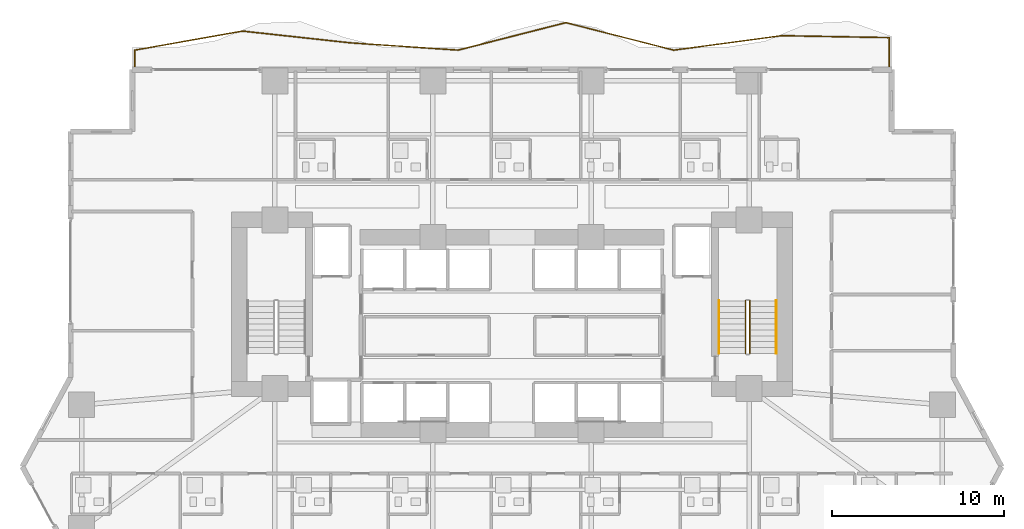
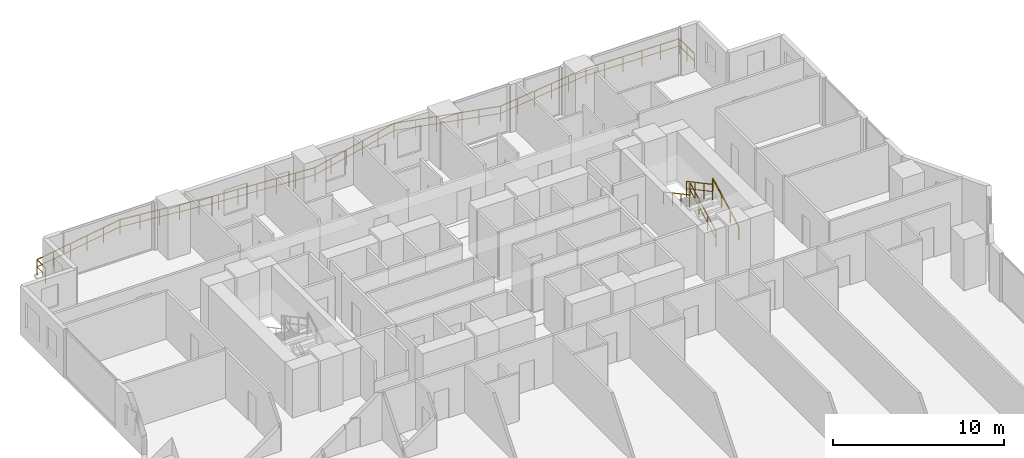
# One storey, part 26 of 28: 5 railings.
"""IFC4 building model written with IfcOpenShell, lengths in metres."""

from ifc_helpers import new_model, si_unit, direction, frame, origin, origin_2d, place, context, subcontext, project, spatial, rectangle, extrude, material, type_object, element, save


model = new_model("IFC4")

# Units and contexts
model_context = context("Model", 3, precision=1e-05, world=origin(), true_north=direction((0.0, 1.0)))
body_context = subcontext(model_context, "Body", "Model", "MODEL_VIEW")
ifc_project = project(units=[si_unit("LENGTHUNIT", "METRE"), si_unit("AREAUNIT", "SQUARE_METRE"), si_unit("VOLUMEUNIT", "CUBIC_METRE"), si_unit("PLANEANGLEUNIT", "RADIAN"), si_unit("MASSUNIT", "GRAM", prefix="KILO")], contexts=[model_context])

# Site, building, storey
site_placement = place(None, origin())
site = spatial("IfcSite", under=ifc_project, at=site_placement, CompositionType="ELEMENT")
building_placement = place(site_placement, origin())
building = spatial("IfcBuilding", under=site, at=building_placement, Name="Zuhayl Quay Hotel", CompositionType="ELEMENT")
storey_placement = place(building_placement, frame((0.0, 0.0, 31.25)))
storey = spatial("IfcBuildingStorey", under=building, at=storey_placement, Name="L06", CompositionType="ELEMENT", Elevation=31.25)

# Railings
ifc_material_1 = material(Name="Anodised Aluminium and Laminated Glass", Category="aluminium")
railing_type_1 = type_object("IfcRailingType", Name="RL_EXT_BAL_1100", PredefinedType="BALUSTRADE", material=ifc_material_1)
railing_1_placement = place(storey_placement, frame((-21.9599609375, 23.219970703125, 0.0)))
element("IfcRailing", 1, at=railing_1_placement, inside=storey, type_object=railing_type_1, Name="L06 Balcony and Terrace Guard GR_L06_BAL_N", PredefinedType="BALUSTRADE", context=body_context, shape_type="SweptSolid", body=[
    extrude(rectangle(XDim=0.048095703125, YDim=0.048095703125, at=origin_2d()), frame((0.0, 0.0, 1.09619140625), z_axis=(0.0, 1.0, 0.0), x_axis=(-1.0, 0.0, 0.0)), (0.0, 0.0, 1.0), 1.02001953125),
    extrude(rectangle(XDim=0.0361328125, YDim=0.0361328125, at=origin_2d()), frame((0.0, 0.0, 0.58251953125), z_axis=(0.0, 1.0, 0.0), x_axis=(-1.0, 0.0, 0.0)), (0.0, 0.0, 1.0), 1.02001953125),
    extrude(rectangle(XDim=0.048095703125, YDim=0.048095703125, at=origin_2d()), frame((0.0, 1.02001953125, 1.09619140625), z_axis=(0.984698965883, 0.174264014041, 0.0), x_axis=(-0.174264014041, 0.984698965883, 0.0)), (0.0, 0.0, 1.0), 6.37158203125),
    extrude(rectangle(XDim=0.0361328125, YDim=0.0361328125, at=origin_2d()), frame((0.0, 1.02001953125, 0.58251953125), z_axis=(0.984698965883, 0.174264014041, 0.0), x_axis=(-0.174264014041, 0.984698965883, 0.0)), (0.0, 0.0, 1.0), 6.37158203125),
    extrude(rectangle(XDim=0.048095703125, YDim=0.048095703125, at=origin_2d()), frame((6.274169921875, 2.13037109375, 1.09619140625), z_axis=(0.994083966062, -0.108614310377, 0.0), x_axis=(0.108614310377, 0.994083966062, 0.0)), (0.0, 0.0, 1.0), 6.311767578125),
    extrude(rectangle(XDim=0.0361328125, YDim=0.0361328125, at=origin_2d()), frame((6.274169921875, 2.13037109375, 0.58251953125), z_axis=(0.994083966062, -0.108614310377, 0.0), x_axis=(0.108614310377, 0.994083966062, 0.0)), (0.0, 0.0, 1.0), 6.311767578125),
    extrude(rectangle(XDim=0.048095703125, YDim=0.048095703125, at=origin_2d()), frame((12.548583984375, 1.44482421875, 1.09619140625), z_axis=(0.997715737542, -0.067552254303, 0.0), x_axis=(0.067552254303, 0.997715737542, 0.0)), (0.0, 0.0, 1.0), 6.28857421875),
    extrude(rectangle(XDim=0.0361328125, YDim=0.0361328125, at=origin_2d()), frame((12.548583984375, 1.44482421875, 0.58251953125), z_axis=(0.997715737542, -0.067552254303, 0.0), x_axis=(0.067552254303, 0.997715737542, 0.0)), (0.0, 0.0, 1.0), 6.28857421875),
    extrude(rectangle(XDim=0.048095703125, YDim=0.048095703125, at=origin_2d()), frame((18.82275390625, 1.02001953125, 1.09619140625), z_axis=(0.968933090651, 0.247322999014, 0.0), x_axis=(-0.247322999014, 0.968933090651, 0.0)), (0.0, 0.0, 1.0), 6.4755859375),
    extrude(rectangle(XDim=0.0361328125, YDim=0.0361328125, at=origin_2d()), frame((18.82275390625, 1.02001953125, 0.58251953125), z_axis=(0.968933090651, 0.247322999014, 0.0), x_axis=(-0.247322999014, 0.968933090651, 0.0)), (0.0, 0.0, 1.0), 6.4755859375),
    extrude(rectangle(XDim=0.048095703125, YDim=0.048095703125, at=origin_2d()), frame((25.09716796875, 2.62158203125, 1.09619140625), z_axis=(0.968930784363, -0.247332034142, 0.0), x_axis=(0.247332034142, 0.968930784363, 0.0)), (0.0, 0.0, 1.0), 6.475341796875),
    extrude(rectangle(XDim=0.0361328125, YDim=0.0361328125, at=origin_2d()), frame((25.09716796875, 2.62158203125, 0.58251953125), z_axis=(0.968930784363, -0.247332034142, 0.0), x_axis=(0.247332034142, 0.968930784363, 0.0)), (0.0, 0.0, 1.0), 6.475341796875),
    extrude(rectangle(XDim=0.048095703125, YDim=0.048095703125, at=origin_2d()), frame((31.371337890625, 1.02001953125, 1.09619140625), z_axis=(0.991119791242, 0.132972024911, 0.0), x_axis=(-0.132972024911, 0.991119791242, 0.0)), (0.0, 0.0, 1.0), 6.33056640625),
    extrude(rectangle(XDim=0.0361328125, YDim=0.0361328125, at=origin_2d()), frame((31.371337890625, 1.02001953125, 0.58251953125), z_axis=(0.991119791242, 0.132972024911, 0.0), x_axis=(-0.132972024911, 0.991119791242, 0.0)), (0.0, 0.0, 1.0), 6.33056640625),
    extrude(rectangle(XDim=0.048095703125, YDim=0.048095703125, at=origin_2d()), frame((37.645751953125, 1.86181640625, 1.09619140625), z_axis=(0.999836342151, -0.018091128024, 0.0), x_axis=(0.018091128024, 0.999836342151, 0.0)), (0.0, 0.0, 1.0), 6.275146484375),
    extrude(rectangle(XDim=0.0361328125, YDim=0.0361328125, at=origin_2d()), frame((37.645751953125, 1.86181640625, 0.58251953125), z_axis=(0.999836342151, -0.018091128024, 0.0), x_axis=(0.018091128024, 0.999836342151, 0.0)), (0.0, 0.0, 1.0), 6.275146484375),
    extrude(rectangle(XDim=0.048095703125, YDim=0.048095703125, at=origin_2d()), frame((43.919921875, 1.748291015625, 1.09619140625), z_axis=(0.0, -1.0, 0.0), x_axis=(1.0, 0.0, 0.0)), (0.0, 0.0, 1.0), 1.748291015625),
    extrude(rectangle(XDim=0.0361328125, YDim=0.0361328125, at=origin_2d()), frame((43.919921875, 1.748291015625, 0.58251953125), z_axis=(0.0, -1.0, 0.0), x_axis=(1.0, 0.0, 0.0)), (0.0, 0.0, 1.0), 1.748291015625),
    extrude(rectangle(XDim=0.0419921875, YDim=0.0419921875, at=origin_2d()), origin(), (0.0, 0.0, 1.0), 1.072021484375),
    extrude(rectangle(XDim=0.0419921875, YDim=0.0419921875, at=origin_2d()), frame((0.0, 1.02001953125, 0.0)), (0.0, 0.0, 1.0), 1.072021484375),
    extrude(rectangle(XDim=0.0419921875, YDim=0.0419921875, at=origin_2d()), frame((1.2548828125, 1.2421875, 0.0)), (0.0, 0.0, 1.0), 1.072021484375),
    extrude(rectangle(XDim=0.0419921875, YDim=0.0419921875, at=origin_2d()), frame((2.509765625, 1.464111328125, 0.0)), (0.0, 0.0, 1.0), 1.072021484375),
    extrude(rectangle(XDim=0.0419921875, YDim=0.0419921875, at=origin_2d()), frame((3.764404296875, 1.686279296875, 0.0)), (0.0, 0.0, 1.0), 1.072021484375),
    extrude(rectangle(XDim=0.0419921875, YDim=0.0419921875, at=origin_2d()), frame((5.019287109375, 1.908203125, 0.0)), (0.0, 0.0, 1.0), 1.072021484375),
    extrude(rectangle(XDim=0.0419921875, YDim=0.0419921875, at=origin_2d()), frame((6.274169921875, 2.13037109375, 0.0)), (0.0, 0.0, 1.0), 1.072021484375),
    extrude(rectangle(XDim=0.0419921875, YDim=0.0419921875, at=origin_2d()), frame((7.529052734375, 1.9931640625, 0.0)), (0.0, 0.0, 1.0), 1.072021484375),
    extrude(rectangle(XDim=0.0419921875, YDim=0.0419921875, at=origin_2d()), frame((8.783935546875, 1.856201171875, 0.0)), (0.0, 0.0, 1.0), 1.072021484375),
    extrude(rectangle(XDim=0.0419921875, YDim=0.0419921875, at=origin_2d()), frame((10.038818359375, 1.718994140625, 0.0)), (0.0, 0.0, 1.0), 1.072021484375),
    extrude(rectangle(XDim=0.0419921875, YDim=0.0419921875, at=origin_2d()), frame((11.293701171875, 1.58203125, 0.0)), (0.0, 0.0, 1.0), 1.072021484375),
    extrude(rectangle(XDim=0.0419921875, YDim=0.0419921875, at=origin_2d()), frame((12.548583984375, 1.44482421875, 0.0)), (0.0, 0.0, 1.0), 1.072021484375),
    extrude(rectangle(XDim=0.0419921875, YDim=0.0419921875, at=origin_2d()), frame((13.803466796875, 1.35986328125, 0.0)), (0.0, 0.0, 1.0), 1.072021484375),
    extrude(rectangle(XDim=0.0419921875, YDim=0.0419921875, at=origin_2d()), frame((15.058349609375, 1.27490234375, 0.0)), (0.0, 0.0, 1.0), 1.072021484375),
    extrude(rectangle(XDim=0.0419921875, YDim=0.0419921875, at=origin_2d()), frame((16.31298828125, 1.18994140625, 0.0)), (0.0, 0.0, 1.0), 1.072021484375),
    extrude(rectangle(XDim=0.0419921875, YDim=0.0419921875, at=origin_2d()), frame((17.56787109375, 1.10498046875, 0.0)), (0.0, 0.0, 1.0), 1.072021484375),
    extrude(rectangle(XDim=0.0419921875, YDim=0.0419921875, at=origin_2d()), frame((18.82275390625, 1.02001953125, 0.0)), (0.0, 0.0, 1.0), 1.072021484375),
    extrude(rectangle(XDim=0.0419921875, YDim=0.0419921875, at=origin_2d()), frame((20.07763671875, 1.34033203125, 0.0)), (0.0, 0.0, 1.0), 1.072021484375),
    extrude(rectangle(XDim=0.0419921875, YDim=0.0419921875, at=origin_2d()), frame((21.33251953125, 1.66064453125, 0.0)), (0.0, 0.0, 1.0), 1.072021484375),
    extrude(rectangle(XDim=0.0419921875, YDim=0.0419921875, at=origin_2d()), frame((22.58740234375, 1.98095703125, 0.0)), (0.0, 0.0, 1.0), 1.072021484375),
    extrude(rectangle(XDim=0.0419921875, YDim=0.0419921875, at=origin_2d()), frame((23.84228515625, 2.30126953125, 0.0)), (0.0, 0.0, 1.0), 1.072021484375),
    extrude(rectangle(XDim=0.0419921875, YDim=0.0419921875, at=origin_2d()), frame((25.09716796875, 2.62158203125, 0.0)), (0.0, 0.0, 1.0), 1.072021484375),
    extrude(rectangle(XDim=0.0419921875, YDim=0.0419921875, at=origin_2d()), frame((26.35205078125, 2.30126953125, 0.0)), (0.0, 0.0, 1.0), 1.072021484375),
    extrude(rectangle(XDim=0.0419921875, YDim=0.0419921875, at=origin_2d()), frame((27.60693359375, 1.98095703125, 0.0)), (0.0, 0.0, 1.0), 1.072021484375),
    extrude(rectangle(XDim=0.0419921875, YDim=0.0419921875, at=origin_2d()), frame((28.861572265625, 1.66064453125, 0.0)), (0.0, 0.0, 1.0), 1.072021484375),
    extrude(rectangle(XDim=0.0419921875, YDim=0.0419921875, at=origin_2d()), frame((30.116455078125, 1.34033203125, 0.0)), (0.0, 0.0, 1.0), 1.072021484375),
    extrude(rectangle(XDim=0.0419921875, YDim=0.0419921875, at=origin_2d()), frame((31.371337890625, 1.02001953125, 0.0)), (0.0, 0.0, 1.0), 1.072021484375),
    extrude(rectangle(XDim=0.0419921875, YDim=0.0419921875, at=origin_2d()), frame((32.626220703125, 1.1884765625, 0.0)), (0.0, 0.0, 1.0), 1.072021484375),
    extrude(rectangle(XDim=0.0419921875, YDim=0.0419921875, at=origin_2d()), frame((33.881103515625, 1.356689453125, 0.0)), (0.0, 0.0, 1.0), 1.072021484375),
    extrude(rectangle(XDim=0.0419921875, YDim=0.0419921875, at=origin_2d()), frame((35.135986328125, 1.525146484375, 0.0)), (0.0, 0.0, 1.0), 1.072021484375),
    extrude(rectangle(XDim=0.0419921875, YDim=0.0419921875, at=origin_2d()), frame((36.390869140625, 1.693359375, 0.0)), (0.0, 0.0, 1.0), 1.072021484375),
    extrude(rectangle(XDim=0.0419921875, YDim=0.0419921875, at=origin_2d()), frame((37.645751953125, 1.86181640625, 0.0)), (0.0, 0.0, 1.0), 1.072021484375),
    extrude(rectangle(XDim=0.0419921875, YDim=0.0419921875, at=origin_2d()), frame((38.900634765625, 1.839111328125, 0.0)), (0.0, 0.0, 1.0), 1.072021484375),
    extrude(rectangle(XDim=0.0419921875, YDim=0.0419921875, at=origin_2d()), frame((40.155517578125, 1.81640625, 0.0)), (0.0, 0.0, 1.0), 1.072021484375),
    extrude(rectangle(XDim=0.0419921875, YDim=0.0419921875, at=origin_2d()), frame((41.41015625, 1.793701171875, 0.0)), (0.0, 0.0, 1.0), 1.072021484375),
    extrude(rectangle(XDim=0.0419921875, YDim=0.0419921875, at=origin_2d()), frame((42.6650390625, 1.77099609375, 0.0)), (0.0, 0.0, 1.0), 1.072021484375),
    extrude(rectangle(XDim=0.0419921875, YDim=0.0419921875, at=origin_2d()), frame((43.919921875, 1.748291015625, 0.0)), (0.0, 0.0, 1.0), 1.072021484375),
    extrude(rectangle(XDim=0.0419921875, YDim=0.0419921875, at=origin_2d()), frame((43.919921875, 0.8740234375, 0.0)), (0.0, 0.0, 1.0), 1.072021484375),
    extrude(rectangle(XDim=0.0419921875, YDim=0.0419921875, at=origin_2d()), frame((43.919921875, 0.0, 0.0)), (0.0, 0.0, 1.0), 1.072021484375),
])
ifc_material_2 = material(Name="Steel ASTM A992 Grade 50", Category="steel")
railing_type_2 = type_object("IfcRailingType", Name="RL_GUARD_1100", PredefinedType="GUARDRAIL", material=ifc_material_2)
railing_2_placement = place(storey_placement, frame((13.840087890625, 6.590087890625, 0.1826171875)))
element("IfcRailing", 2, at=railing_2_placement, inside=storey, type_object=railing_type_2, Name="L06 ST2 stair guard 1", PredefinedType="GUARDRAIL", context=body_context, shape_type="SweptSolid", body=[
    extrude(rectangle(XDim=0.048095703125, YDim=0.048095703125, at=origin_2d()), frame((0.0, 0.0, 1.09619140625), z_axis=(0.0, 0.881102395774, 0.472925541879), x_axis=(-1.0, 0.0, 0.0)), (0.0, 0.0, 1.0), 3.47265625),
    extrude(rectangle(XDim=0.0361328125, YDim=0.0361328125, at=origin_2d()), frame((0.0, 0.0, 0.58251953125), z_axis=(0.0, 0.881102395774, 0.472925541879), x_axis=(-1.0, 0.0, 0.0)), (0.0, 0.0, 1.0), 3.47265625),
    extrude(rectangle(XDim=0.0419921875, YDim=0.0419921875, at=origin_2d()), origin(), (0.0, 0.0, 1.0), 1.072021484375),
    extrude(rectangle(XDim=0.0419921875, YDim=0.0419921875, at=origin_2d()), frame((0.0, 1.02001953125, 0.54736328125)), (0.0, 0.0, 1.0), 1.072021484375),
    extrude(rectangle(XDim=0.0419921875, YDim=0.0419921875, at=origin_2d()), frame((0.0, 2.039794921875, 1.094970703125)), (0.0, 0.0, 1.0), 1.072021484375),
    extrude(rectangle(XDim=0.0419921875, YDim=0.0419921875, at=origin_2d()), frame((0.0, 3.059814453125, 1.642333984375)), (0.0, 0.0, 1.0), 1.072021484375),
])
railing_3_placement = place(storey_placement, frame((13.590087890625, 9.64990234375, 2.007568359375)))
element("IfcRailing", 3, at=railing_3_placement, inside=storey, type_object=railing_type_2, Name="L06 ST2 stair guard 3", PredefinedType="GUARDRAIL", context=body_context, shape_type="SweptSolid", body=[
    extrude(rectangle(XDim=0.048095703125, YDim=0.048095703125, at=origin_2d()), frame((0.0, 0.0, 1.09619140625), z_axis=(0.0, -0.881102395774, 0.472925541879), x_axis=(1.0, 0.0, 0.0)), (0.0, 0.0, 1.0), 3.47265625),
    extrude(rectangle(XDim=0.0361328125, YDim=0.0361328125, at=origin_2d()), frame((0.0, 0.0, 0.58251953125), z_axis=(0.0, -0.881102395774, 0.472925541879), x_axis=(1.0, 0.0, 0.0)), (0.0, 0.0, 1.0), 3.47265625),
    extrude(rectangle(XDim=0.0419921875, YDim=0.0419921875, at=origin_2d()), origin(), (0.0, 0.0, 1.0), 1.072021484375),
    extrude(rectangle(XDim=0.0419921875, YDim=0.0419921875, at=origin_2d()), frame((0.0, -1.02001953125, 0.54736328125)), (0.0, 0.0, 1.0), 1.072021484375),
    extrude(rectangle(XDim=0.0419921875, YDim=0.0419921875, at=origin_2d()), frame((0.0, -2.039794921875, 1.094970703125)), (0.0, 0.0, 1.0), 1.072021484375),
    extrude(rectangle(XDim=0.0419921875, YDim=0.0419921875, at=origin_2d()), frame((0.0, -3.059814453125, 1.642333984375)), (0.0, 0.0, 1.0), 1.072021484375),
])
railing_type_3 = type_object("IfcRailingType", Name="RL_HANDRAIL_920", PredefinedType="HANDRAIL", material=ifc_material_2)
railing_4_placement = place(storey_placement, frame((15.3798828125, 6.590087890625, 0.1826171875)))
element("IfcRailing", 4, at=railing_4_placement, inside=storey, type_object=railing_type_3, Name="L06 ST2 stair handrail 1", PredefinedType="HANDRAIL", context=body_context, shape_type="SweptSolid", body=[
    extrude(rectangle(XDim=0.048095703125, YDim=0.048095703125, at=origin_2d()), frame((0.0, 0.0, 0.8759765625), z_axis=(0.0, 0.881102395774, 0.472925541879), x_axis=(-1.0, 0.0, 0.0)), (0.0, 0.0, 1.0), 3.47265625),
    extrude(rectangle(XDim=0.0419921875, YDim=0.0419921875, at=origin_2d()), origin(), (0.0, 0.0, 1.0), 0.851806640625),
    extrude(rectangle(XDim=0.0419921875, YDim=0.0419921875, at=origin_2d()), frame((0.0, 1.02001953125, 0.54736328125)), (0.0, 0.0, 1.0), 0.851806640625),
    extrude(rectangle(XDim=0.0419921875, YDim=0.0419921875, at=origin_2d()), frame((0.0, 2.039794921875, 1.094970703125)), (0.0, 0.0, 1.0), 0.851806640625),
    extrude(rectangle(XDim=0.0419921875, YDim=0.0419921875, at=origin_2d()), frame((0.0, 3.059814453125, 1.642333984375)), (0.0, 0.0, 1.0), 0.851806640625),
])
railing_5_placement = place(storey_placement, frame((12.050048828125, 9.64990234375, 2.007568359375)))
element("IfcRailing", 5, at=railing_5_placement, inside=storey, type_object=railing_type_3, Name="L06 ST2 stair handrail 2", PredefinedType="HANDRAIL", context=body_context, shape_type="SweptSolid", body=[
    extrude(rectangle(XDim=0.048095703125, YDim=0.048095703125, at=origin_2d()), frame((0.0, 0.0, 0.8759765625), z_axis=(0.0, -0.881102395774, 0.472925541879), x_axis=(1.0, 0.0, 0.0)), (0.0, 0.0, 1.0), 3.47265625),
    extrude(rectangle(XDim=0.0419921875, YDim=0.0419921875, at=origin_2d()), origin(), (0.0, 0.0, 1.0), 0.851806640625),
    extrude(rectangle(XDim=0.0419921875, YDim=0.0419921875, at=origin_2d()), frame((0.0, -1.02001953125, 0.54736328125)), (0.0, 0.0, 1.0), 0.851806640625),
    extrude(rectangle(XDim=0.0419921875, YDim=0.0419921875, at=origin_2d()), frame((0.0, -2.039794921875, 1.094970703125)), (0.0, 0.0, 1.0), 0.851806640625),
    extrude(rectangle(XDim=0.0419921875, YDim=0.0419921875, at=origin_2d()), frame((0.0, -3.059814453125, 1.642333984375)), (0.0, 0.0, 1.0), 0.851806640625),
])

save(model, "model.ifc")
